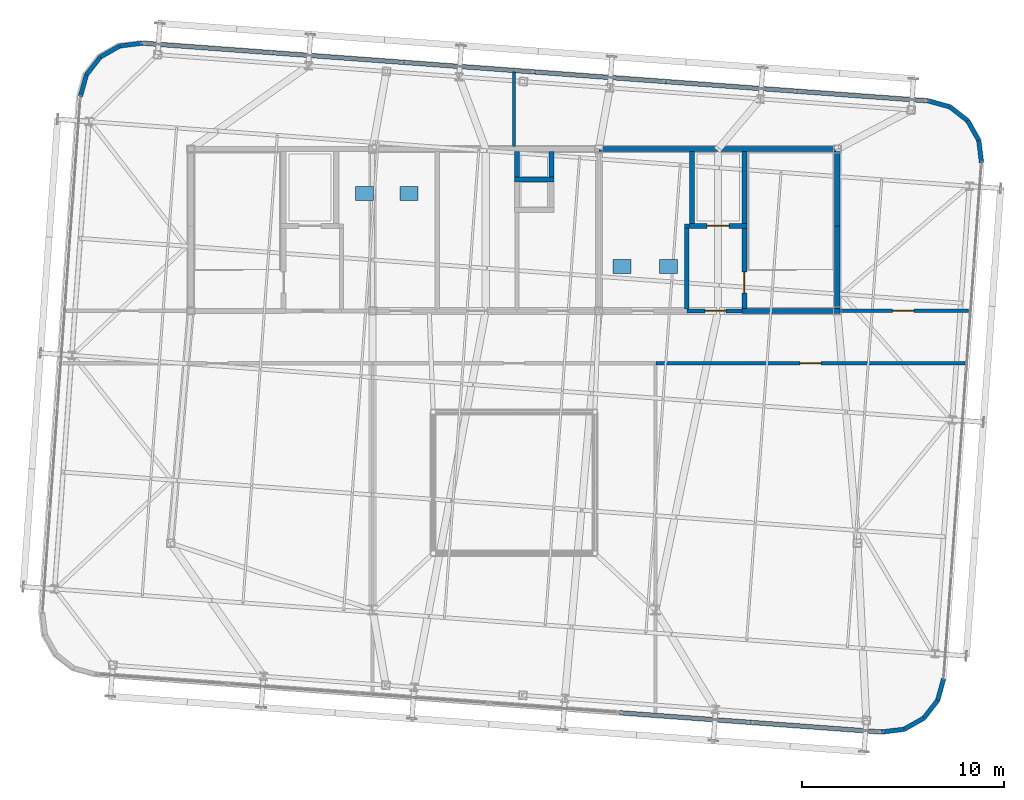
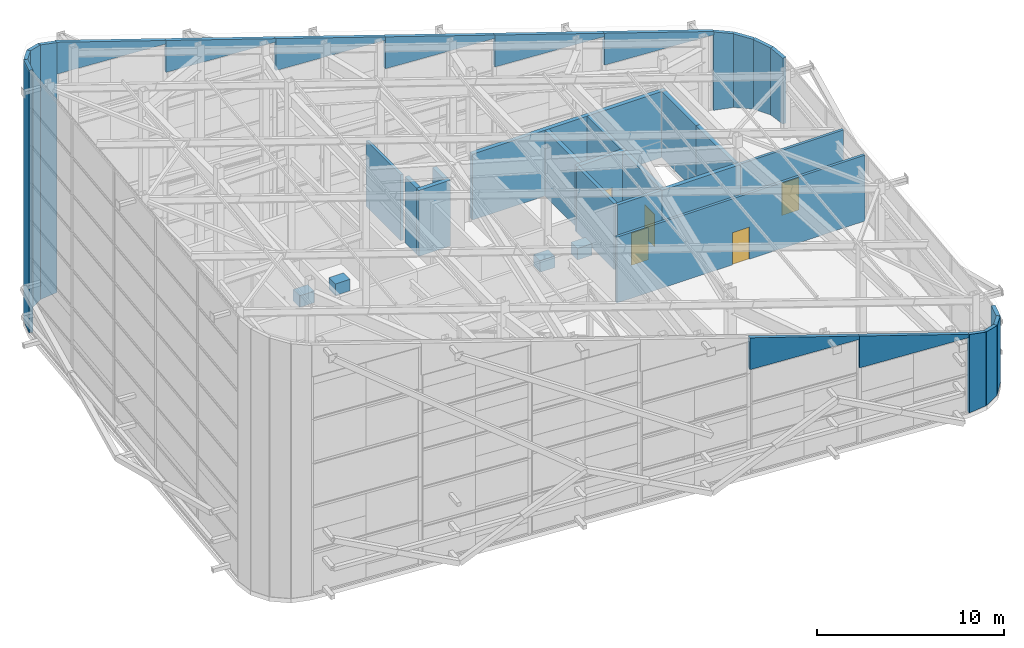
# One storey, part 54 of 56: 37 walls, 5 doors, 4 discrete accessories, 5 openings.
"""IFC4 building model written with IfcOpenShell, lengths in metres."""

from ifc_helpers import new_model, si_unit, direction, frame, frame_2d, origin, origin_2d, place, context, subcontext, project, spatial, polyline, rectangle, outline, extrude, source, transform, mapped, material, layer, layer_set, type_object, element, fill, save


model = new_model("IFC4")

# Units and contexts
model_context = context("Model", 3, precision=1e-05, world=origin(), true_north=direction((0.0, 1.0)))
body_context = subcontext(model_context, "Body", "Model", "MODEL_VIEW")
ifc_project = project(units=[si_unit("LENGTHUNIT", "METRE"), si_unit("AREAUNIT", "SQUARE_METRE"), si_unit("VOLUMEUNIT", "CUBIC_METRE"), si_unit("PLANEANGLEUNIT", "RADIAN"), si_unit("MASSUNIT", "GRAM", prefix="KILO")], contexts=[model_context])

# Site, building, storey
site_placement = place(None, origin())
site = spatial("IfcSite", under=ifc_project, at=site_placement, CompositionType="ELEMENT")
building_placement = place(site_placement, origin())
building = spatial("IfcBuilding", under=site, at=building_placement, Name="Taldren Reach Tower", CompositionType="ELEMENT")
storey_placement = place(building_placement, frame((0.0, 0.0, 253.050048828125)))
storey = spatial("IfcBuildingStorey", under=building, at=storey_placement, Name="L77", CompositionType="ELEMENT", Elevation=253.050048828125)

# Walls
ifc_material_1 = material(Name="Pale Champagne Anodised Aluminium Cladding", Category="aluminium")
ifc_layer_1 = layer(ifc_material_1, 0.04, Name="Pale Champagne Anodised Aluminium Cladding", Category="aluminium")
ifc_material_2 = material(Name="Mineral Wool Acoustic Insulation", Category="insulation")
ifc_layer_2 = layer(ifc_material_2, 0.06, Name="Mineral Wool Acoustic Insulation", Category="insulation")
ifc_material_3 = material(Name="Steel Gr 350 (C350L0)", Category="steel")
ifc_layer_3 = layer(ifc_material_3, 0.12, Name="Steel Gr 350 (C350L0)", Category="steel")
ifc_layer_set_1 = layer_set([ifc_layer_1, ifc_layer_2, ifc_layer_3], Name="Pale Champagne Aluminium Cladding and Steel Gr 350 Stud Framing")
wall_type_1 = type_object("IfcWallType", Name="EW-CRN-220", PredefinedType="SOLIDWALL", material=ifc_layer_set_1)
wall_1_placement = place(storey_placement, frame((53.20068359375, 3.15380859375, 0.0), z_axis=(0.0, 0.0, 1.0), x_axis=(0.992438604032, 0.122742076028, 0.0)))
element("IfcWall", 1, at=wall_1_placement, inside=storey, type_object=wall_type_1, Name="Rounded-corner pale-metal facade wall L77-SE1", PredefinedType="SOLIDWALL", context=body_context, shape_type="SweptSolid", body=[
    extrude(outline(polyline([(0.0, 0.0), (1.115966796875, 0.0), (1.115966796875, 4.80419921875), (0.0, 5.117919921875), (0.0, 0.0)])), frame((0.0, 0.10986328125, 0.0), z_axis=(0.0, -1.0, 0.0), x_axis=(1.0, 0.0, 0.0)), (0.0, 0.0, 1.0), 0.219970703125),
])
wall_2_placement = place(storey_placement, frame((54.30810546875, 3.290771484375, 0.0), z_axis=(0.0, 0.0, 1.0), x_axis=(0.869893934693, 0.49323882895, 0.0)))
element("IfcWall", 2, at=wall_2_placement, inside=storey, type_object=wall_type_1, Name="Rounded-corner pale-metal facade wall L77-SE2", PredefinedType="SOLIDWALL", context=body_context, shape_type="SweptSolid", body=[
    extrude(outline(polyline([(0.0, 0.0), (1.1162109375, 0.0), (1.115966796875, 4.5380859375), (0.0, 4.80419921875), (0.0, 0.0)])), frame((0.0, 0.10986328125, 0.0), z_axis=(0.0, -1.0, 0.0), x_axis=(1.0, 0.0, 0.0)), (0.0, 0.0, 1.0), 0.219970703125),
])
wall_3_placement = place(storey_placement, frame((55.279052734375, 3.84130859375, 0.0), z_axis=(0.0, 0.0, 1.0), x_axis=(0.615015475096, 0.788515038152, 0.0)))
element("IfcWall", 3, at=wall_3_placement, inside=storey, type_object=wall_type_1, Name="Rounded-corner pale-metal facade wall L77-SE3", PredefinedType="SOLIDWALL", context=body_context, shape_type="SweptSolid", body=[
    extrude(outline(polyline([(0.0, 0.0), (1.115966796875, 0.0), (1.115966796875, 4.3603515625), (0.0, 4.5380859375), (0.0, 0.0)])), frame((0.0, 0.10986328125, 0.0), z_axis=(0.0, -1.0, 0.0), x_axis=(1.0, 0.0, 0.0)), (0.0, 0.0, 1.0), 0.219970703125),
])
wall_4_placement = place(storey_placement, frame((55.96533203125, 4.72119140625, 0.0), z_axis=(0.0, 0.0, 1.0), x_axis=(0.26624444942, 0.963905541613, 0.0)))
element("IfcWall", 4, at=wall_4_placement, inside=storey, type_object=wall_type_1, Name="Rounded-corner pale-metal facade wall L77-SE4", PredefinedType="SOLIDWALL", context=body_context, shape_type="SweptSolid", body=[
    extrude(outline(polyline([(0.0, 0.0), (1.115966796875, 0.0), (1.115966796875, 4.298095703125), (0.0, 4.3603515625), (0.0, 0.0)])), frame((0.0, 0.10986328125, 0.0), z_axis=(0.0, -1.0, 0.0), x_axis=(1.0, 0.0, 0.0)), (0.0, 0.0, 1.0), 0.219970703125),
])
wall_5_placement = place(storey_placement, frame((58.137451171875, 31.328125, 0.0), z_axis=(0.0, 0.0, 1.0), x_axis=(-0.122742076028, 0.992438604032, 0.0)))
element("IfcWall", 5, at=wall_5_placement, inside=storey, type_object=wall_type_1, Name="Rounded-corner pale-metal facade wall L77-NE1", PredefinedType="SOLIDWALL", context=body_context, shape_type="SweptSolid", body=[
    extrude(outline(polyline([(0.0, 0.0), (1.115966796875, 0.0), (1.115966796875, 4.3603515625), (0.0, 4.298095703125), (0.0, 0.0)])), frame((0.0, 0.10986328125, 0.0), z_axis=(0.0, -1.0, 0.0), x_axis=(1.0, 0.0, 0.0)), (0.0, 0.0, 1.0), 0.219970703125),
])
wall_6_placement = place(storey_placement, frame((58.00048828125, 32.435546875, 0.0), z_axis=(0.0, 0.0, 1.0), x_axis=(-0.493167138628, 0.869934579941, 0.0)))
element("IfcWall", 6, at=wall_6_placement, inside=storey, type_object=wall_type_1, Name="Rounded-corner pale-metal facade wall L77-NE2", PredefinedType="SOLIDWALL", context=body_context, shape_type="SweptSolid", body=[
    extrude(outline(polyline([(0.0, 0.0), (1.11572265625, 0.0), (1.115966796875, 4.5380859375), (0.0, 4.3603515625), (0.0, 0.0)])), frame((0.0, 0.10986328125, 0.0), z_axis=(0.0, -1.0, 0.0), x_axis=(1.0, 0.0, 0.0)), (0.0, 0.0, 1.0), 0.219970703125),
])
wall_7_placement = place(storey_placement, frame((57.4501953125, 33.40625, 0.0), z_axis=(0.0, 0.0, 1.0), x_axis=(-0.788597772321, 0.614909386406, 0.0)))
element("IfcWall", 7, at=wall_7_placement, inside=storey, type_object=wall_type_1, Name="Rounded-corner pale-metal facade wall L77-NE3", PredefinedType="SOLIDWALL", context=body_context, shape_type="SweptSolid", body=[
    extrude(outline(polyline([(0.0, 0.0), (1.115966796875, 0.0), (1.115966796875, 4.80419921875), (0.0, 4.5380859375), (0.0, 0.0)])), frame((0.0, 0.10986328125, 0.0), z_axis=(0.0, -1.0, 0.0), x_axis=(1.0, 0.0, 0.0)), (0.0, 0.0, 1.0), 0.219970703125),
])
wall_8_placement = place(storey_placement, frame((56.570068359375, 34.092529296875, 0.0), z_axis=(0.0, 0.0, 1.0), x_axis=(-0.963833843713, 0.266503886865, 0.0)))
element("IfcWall", 8, at=wall_8_placement, inside=storey, type_object=wall_type_1, Name="Rounded-corner pale-metal facade wall L77-NE4", PredefinedType="SOLIDWALL", context=body_context, shape_type="SweptSolid", body=[
    extrude(outline(polyline([(0.0, 0.0), (1.11572265625, 0.0), (1.115966796875, 5.117919921875), (0.0, 4.80419921875), (0.0, 0.0)])), frame((0.0, 0.10986328125, 0.0), z_axis=(0.0, -1.0, 0.0), x_axis=(1.0, 0.0, 0.0)), (0.0, 0.0, 1.0), 0.219970703125),
])
wall_9_placement = place(storey_placement, frame((16.599365234375, 37.24609375, 0.0), z_axis=(0.0, 0.0, 1.0), x_axis=(-0.992441899189, -0.122715429897, 0.0)))
element("IfcWall", 9, at=wall_9_placement, inside=storey, type_object=wall_type_1, Name="Rounded-corner pale-metal facade wall L77-NW1", PredefinedType="SOLIDWALL", context=body_context, shape_type="SweptSolid", body=[
    extrude(outline(polyline([(0.0, 0.0), (1.1162109375, 0.0), (1.115966796875, 16.611572265625), (0.0, 16.2978515625), (0.0, 0.0)])), frame((0.0, 0.10986328125, 0.0), z_axis=(0.0, -1.0, 0.0), x_axis=(1.0, 0.0, 0.0)), (0.0, 0.0, 1.0), 0.219970703125),
])
wall_10_placement = place(storey_placement, frame((15.49169921875, 37.109130859375, 0.0), z_axis=(0.0, 0.0, 1.0), x_axis=(-0.869934579941, -0.493167138628, 0.0)))
element("IfcWall", 10, at=wall_10_placement, inside=storey, type_object=wall_type_1, Name="Rounded-corner pale-metal facade wall L77-NW2", PredefinedType="SOLIDWALL", context=body_context, shape_type="SweptSolid", body=[
    extrude(outline(polyline([(0.0, 0.0), (1.11572265625, 0.0), (1.115966796875, 16.877685546875), (0.0, 16.611572265625), (0.0, 0.0)])), frame((0.0, 0.10986328125, 0.0), z_axis=(0.0, -1.0, 0.0), x_axis=(1.0, 0.0, 0.0)), (0.0, 0.0, 1.0), 0.219970703125),
])
wall_11_placement = place(storey_placement, frame((14.52099609375, 36.558837890625, 0.0), z_axis=(0.0, 0.0, 1.0), x_axis=(-0.614909386406, -0.788597772321, 0.0)))
element("IfcWall", 11, at=wall_11_placement, inside=storey, type_object=wall_type_1, Name="Rounded-corner pale-metal facade wall L77-NW3", PredefinedType="SOLIDWALL", context=body_context, shape_type="SweptSolid", body=[
    extrude(outline(polyline([(0.0, 0.0), (1.115966796875, 0.0), (1.115966796875, 17.055419921875), (0.0, 16.877685546875), (0.0, 0.0)])), frame((0.0, 0.10986328125, 0.0), z_axis=(0.0, -1.0, 0.0), x_axis=(1.0, 0.0, 0.0)), (0.0, 0.0, 1.0), 0.219970703125),
])
wall_12_placement = place(storey_placement, frame((13.834716796875, 35.6787109375, 0.0), z_axis=(0.0, 0.0, 1.0), x_axis=(-0.266300605026, -0.963890028874, 0.0)))
element("IfcWall", 12, at=wall_12_placement, inside=storey, type_object=wall_type_1, Name="Rounded-corner pale-metal facade wall L77-NW4", PredefinedType="SOLIDWALL", context=body_context, shape_type="SweptSolid", body=[
    extrude(outline(polyline([(0.0, 0.0), (1.11572265625, 0.0), (1.115966796875, 17.11767578125), (0.0, 17.055419921875), (0.0, 0.0)])), frame((0.0, 0.10986328125, 0.0), z_axis=(0.0, -1.0, 0.0), x_axis=(1.0, 0.0, 0.0)), (0.0, 0.0, 1.0), 0.219970703125),
])
wall_13_placement = place(storey_placement, frame((40.235595703125, 4.10595703125, 6.788330078125), z_axis=(0.0, 0.0, 1.0), x_axis=(0.997314286366, -0.073240796084, 0.0)))
element("IfcWall", 13, at=wall_13_placement, inside=storey, type_object=wall_type_1, Name="Slanted crown eave closure wall L77-S5", PredefinedType="SOLIDWALL", context=body_context, shape_type="SweptSolid", body=[
    extrude(outline(polyline([(0.0, 0.0), (6.500244140625, 0.0), (6.5, 0.219970703125), (0.0, 2.083251953125), (0.0, 0.0)])), frame((0.0, 0.10986328125, 0.0), z_axis=(0.0, -1.0, 0.0), x_axis=(1.0, 0.0, 0.0)), (0.0, 0.0, 1.0), 0.219970703125),
])
wall_14_placement = place(storey_placement, frame((46.71826171875, 3.6298828125, 4.9248046875), z_axis=(0.0, 0.0, 1.0), x_axis=(0.997314084878, -0.073243539677, 0.0)))
element("IfcWall", 14, at=wall_14_placement, inside=storey, type_object=wall_type_1, Name="Slanted crown eave closure wall L77-S6", PredefinedType="SOLIDWALL", context=body_context, shape_type="SweptSolid", body=[
    extrude(outline(polyline([(0.0, 0.0), (6.5, 0.0), (6.5, 0.219970703125), (0.0, 2.08349609375), (0.0, 0.0)])), frame((0.0, 0.10986328125, 0.0), z_axis=(0.0, -1.0, 0.0), x_axis=(1.0, 0.0, 0.0)), (0.0, 0.0, 1.0), 0.219970703125),
])
wall_15_placement = place(storey_placement, frame((16.599365234375, 37.24609375, 14.241455078125), z_axis=(0.0, 0.0, 1.0), x_axis=(0.997314084878, -0.073243539677, 0.0)))
element("IfcWall", 15, at=wall_15_placement, inside=storey, type_object=wall_type_1, Name="Slanted crown eave closure wall L77-N1", PredefinedType="SOLIDWALL", context=body_context, shape_type="SweptSolid", body=[
    extrude(outline(polyline([(0.0, 0.0), (6.5, 0.0), (6.5, 0.22021484375), (0.0, 2.08349609375), (0.0, 0.0)])), frame((0.0, 0.10986328125, 0.0), z_axis=(0.0, -1.0, 0.0), x_axis=(1.0, 0.0, 0.0)), (0.0, 0.0, 1.0), 0.219970703125),
])
wall_16_placement = place(storey_placement, frame((23.081787109375, 36.77001953125, 12.378173828125), z_axis=(0.0, 0.0, 1.0), x_axis=(0.997314286366, -0.073240796084, 0.0)))
element("IfcWall", 16, at=wall_16_placement, inside=storey, type_object=wall_type_1, Name="Slanted crown eave closure wall L77-N2", PredefinedType="SOLIDWALL", context=body_context, shape_type="SweptSolid", body=[
    extrude(outline(polyline([(0.0, 0.0), (6.500244140625, 0.0), (6.5, 0.219970703125), (0.0, 2.08349609375), (0.0, 0.0)])), frame((0.0, 0.10986328125, 0.0), z_axis=(0.0, -1.0, 0.0), x_axis=(1.0, 0.0, 0.0)), (0.0, 0.0, 1.0), 0.219970703125),
])
wall_17_placement = place(storey_placement, frame((29.564453125, 36.2939453125, 10.514892578125), z_axis=(0.0, 0.0, 1.0), x_axis=(0.997314084878, -0.073243539677, 0.0)))
element("IfcWall", 17, at=wall_17_placement, inside=storey, type_object=wall_type_1, Name="Slanted crown eave closure wall L77-N3", PredefinedType="SOLIDWALL", context=body_context, shape_type="SweptSolid", body=[
    extrude(outline(polyline([(0.0, 0.0), (6.5, 0.0), (6.5, 0.219970703125), (0.0, 2.083251953125), (0.0, 0.0)])), frame((0.0, 0.10986328125, 0.0), z_axis=(0.0, -1.0, 0.0), x_axis=(1.0, 0.0, 0.0)), (0.0, 0.0, 1.0), 0.219970703125),
])
wall_18_placement = place(storey_placement, frame((36.046875, 35.81787109375, 8.651611328125), z_axis=(0.0, 0.0, 1.0), x_axis=(0.997314286366, -0.073240796084, 0.0)))
element("IfcWall", 18, at=wall_18_placement, inside=storey, type_object=wall_type_1, Name="Slanted crown eave closure wall L77-N4", PredefinedType="SOLIDWALL", context=body_context, shape_type="SweptSolid", body=[
    extrude(outline(polyline([(0.0, 0.0), (6.500244140625, 0.0), (6.5, 0.219970703125), (0.0, 2.083251953125), (0.0, 0.0)])), frame((0.0, 0.10986328125, 0.0), z_axis=(0.0, -1.0, 0.0), x_axis=(1.0, 0.0, 0.0)), (0.0, 0.0, 1.0), 0.219970703125),
])
wall_19_placement = place(storey_placement, frame((42.529541015625, 35.341796875, 6.788330078125), z_axis=(0.0, 0.0, 1.0), x_axis=(0.997316827882, -0.073206180233, 0.0)))
element("IfcWall", 19, at=wall_19_placement, inside=storey, type_object=wall_type_1, Name="Slanted crown eave closure wall L77-N5", PredefinedType="SOLIDWALL", context=body_context, shape_type="SweptSolid", body=[
    extrude(outline(polyline([(0.0, 0.0), (6.499755859375, 0.0), (6.5, 0.219970703125), (0.0, 2.083251953125), (0.0, 0.0)])), frame((0.0, 0.10986328125, 0.0), z_axis=(0.0, -1.0, 0.0), x_axis=(1.0, 0.0, 0.0)), (0.0, 0.0, 1.0), 0.219970703125),
])
wall_20_placement = place(storey_placement, frame((49.011962890625, 34.865966796875, 4.9248046875), z_axis=(0.0, 0.0, 1.0), x_axis=(0.997314286366, -0.073240796084, 0.0)))
element("IfcWall", 20, at=wall_20_placement, inside=storey, type_object=wall_type_1, Name="Slanted crown eave closure wall L77-N6", PredefinedType="SOLIDWALL", context=body_context, shape_type="SweptSolid", body=[
    extrude(outline(polyline([(0.0, 0.0), (6.500244140625, 0.0), (6.5, 0.219970703125), (0.0, 2.08349609375), (0.0, 0.0)])), frame((0.0, 0.10986328125, 0.0), z_axis=(0.0, -1.0, 0.0), x_axis=(1.0, 0.0, 0.0)), (0.0, 0.0, 1.0), 0.219970703125),
])
ifc_material_4 = material(Name="Concrete S65 (65 MPa)", Category="concrete")
ifc_layer_4 = layer(ifc_material_4, 0.25)
ifc_layer_set_2 = layer_set([ifc_layer_4], Name="Concrete S65 (65 MPa)")
wall_type_2 = type_object("IfcWallType", Name="IW-CORE-250", PredefinedType="SHEAR", material=ifc_layer_set_2)
shared_shape_1 = source(origin(), body_context, "Body", "SweptSolid", [
    extrude(rectangle(XDim=11.925048828125, YDim=0.25, at=frame_2d((5.96240234375, 0.0))), origin(), (0.0, 0.0, 1.0), 4.300048828125),
])
wall_21_placement = place(storey_placement, frame((39.199951171875, 32.0, 0.0), z_axis=(0.0, 0.0, 1.0), x_axis=(1.0, 0.0, 0.0)))
element("IfcWall", 21, at=wall_21_placement, inside=storey, type_object=wall_type_2, Name="Rear Core Shear Wall W-CORE-L77-NORTH3", PredefinedType="SHEAR", context=body_context, shape_type="MappedRepresentation", body=[
    mapped(shared_shape_1, transform((0.0, 0.0, 0.0), scale=1.0)),
])
shared_shape_2 = source(origin(), body_context, "Body", "SweptSolid", [
    extrude(rectangle(XDim=4.074951171875, YDim=0.25, at=frame_2d((2.03759765625, 0.0))), origin(), (0.0, 0.0, 1.0), 4.300048828125),
])
wall_22_placement = place(storey_placement, frame((51.0, 24.125, 0.0), z_axis=(0.0, 0.0, 1.0), x_axis=(0.0, 1.0, 0.0)))
element("IfcWall", 22, at=wall_22_placement, inside=storey, type_object=wall_type_2, Name="Rear Core Shear Wall W-CORE-L77-EAST1", PredefinedType="SHEAR", context=body_context, shape_type="MappedRepresentation", body=[
    mapped(shared_shape_2, transform((0.0, 0.0, 0.0), scale=1.0)),
])
shared_shape_3 = source(origin(), body_context, "Body", "SweptSolid", [
    extrude(rectangle(XDim=3.675048828125, YDim=0.25, at=frame_2d((1.83740234375, 0.0))), origin(), (0.0, 0.0, 1.0), 4.300048828125),
])
wall_23_placement = place(storey_placement, frame((51.0, 28.199951171875, 0.0), z_axis=(0.0, 0.0, 1.0), x_axis=(0.0, 1.0, 0.0)))
element("IfcWall", 23, at=wall_23_placement, inside=storey, type_object=wall_type_2, Name="Rear Core Shear Wall W-CORE-L77-EAST2", PredefinedType="SHEAR", context=body_context, shape_type="MappedRepresentation", body=[
    mapped(shared_shape_3, transform((0.0, 0.0, 0.0), scale=1.0)),
])
shared_shape_4 = source(origin(), body_context, "Body", "SweptSolid", [
    extrude(rectangle(XDim=3.550048828125, YDim=0.25, at=frame_2d((1.77490234375, 0.0))), origin(), (0.0, 0.0, 1.0), 4.300048828125),
])
for number, where, z_axis, x_axis, name in (
    (24, (46.39990234375, 31.875, 0.0), (0.0, 0.0, 1.0), (0.0, -1.0, 0.0), "Rear Core Shear Wall W-INT-L77-008"),
    (25, (43.800048828125, 31.875, 0.0), (0.0, 0.0, 1.0), (0.0, -1.0, 0.0), "Rear Core Shear Wall W-INT-L77-012"),
):
    element("IfcWall", number, at=place(storey_placement, frame(where, z_axis=z_axis, x_axis=x_axis)), inside=storey, type_object=wall_type_2, Name=name, PredefinedType="SHEAR", context=body_context, shape_type="MappedRepresentation", body=[
        mapped(shared_shape_4, transform((0.0, 0.0, 0.0), scale=1.0)),
    ])

# Wall, opening, door
shared_shape_5 = source(origin(), body_context, "Body", "SweptSolid", [
    extrude(rectangle(XDim=3.949951171875, YDim=0.25, at=frame_2d((1.97509765625, 0.0))), origin(), (0.0, 0.0, 1.0), 4.300048828125),
])
wall_24_placement = place(storey_placement, frame((46.39990234375, 28.074951171875, 0.0), z_axis=(0.0, 0.0, 1.0), x_axis=(0.0, -1.0, 0.0)))
wall_24 = element("IfcWall", 26, at=wall_24_placement, inside=storey, type_object=wall_type_2, Name="Rear Core Shear Wall W-INT-L77-009", PredefinedType="SHEAR", context=body_context, shape_type="MappedRepresentation", body=[
    mapped(shared_shape_5, transform((0.0, 0.0, 0.0), scale=1.0)),
])
shared_shape_6 = source(origin(), body_context, "Body", "SweptSolid", [
    extrude(rectangle(XDim=1.050048828125, YDim=2.10009765625, at=frame_2d((0.52490234375, 1.050048828125))), frame((0.0, 0.135009765625, 0.0), z_axis=(0.0, -1.0, 0.0), x_axis=(1.0, 0.0, 0.0)), (0.0, 0.0, 1.0), 0.27001953125),
])
opening_1_placement = place(wall_24_placement, frame((2.14990234375, 0.0, 0.0)))
opening_1 = element("IfcOpeningElement", 27, at=opening_1_placement, cuts=wall_24, Name="Opening DF-105", PredefinedType="OPENING", context=body_context, shape_type="MappedRepresentation", body=[
    mapped(shared_shape_6, transform((0.0, 0.0, 0.0), scale=1.0)),
])
ifc_material_5 = material(Name="Fire-Rated Care and Stair Exit Door")
door_type_1 = type_object("IfcDoorType", Name="ID-FIRE-105", OperationType="NOTDEFINED", PredefinedType="DOOR", material=ifc_material_5)
shared_shape_7 = source(origin(), body_context, "Body", "SweptSolid", [
    extrude(rectangle(XDim=1.050048828125, YDim=2.10009765625, at=frame_2d((0.52490234375, 1.050048828125))), frame((0.0, 0.02490234375, 0.0), z_axis=(0.0, -1.0, 0.0), x_axis=(1.0, 0.0, 0.0)), (0.0, 0.0, 1.0), 0.050048828125),
])
door_1_placement = place(opening_1_placement, origin())
door_1 = element("IfcDoor", 28, at=door_1_placement, inside=storey, type_object=door_type_1, Name="Fire Exit Stair Door DR-L77-003", OperationType="SINGLE_SWING_RIGHT", OverallHeight=2.10009765625, OverallWidth=1.050048828125, PredefinedType="DOOR", context=body_context, shape_type="MappedRepresentation", body=[
    mapped(shared_shape_7, transform((0.0, 0.0, 0.0), scale=1.0)),
])
fill(opening_1, door_1)

# Wall
shared_shape_8 = source(origin(), body_context, "Body", "SweptSolid", [
    extrude(rectangle(XDim=4.85009765625, YDim=0.25, at=frame_2d((2.425048828125, 0.0))), origin(), (0.0, 0.0, 1.0), 4.300048828125),
])
wall_25_placement = place(storey_placement, frame((46.27490234375, 24.0, 0.0), z_axis=(0.0, 0.0, 1.0), x_axis=(1.0, 0.0, 0.0)))
element("IfcWall", 29, at=wall_25_placement, inside=storey, type_object=wall_type_2, Name="Rear Core Shear Wall W-INT-L77-010", PredefinedType="SHEAR", context=body_context, shape_type="MappedRepresentation", body=[
    mapped(shared_shape_8, transform((0.0, 0.0, 0.0), scale=1.0)),
])

# Wall, opening, door
shared_shape_9 = source(origin(), body_context, "Body", "SweptSolid", [
    extrude(rectangle(XDim=2.849853515625, YDim=0.25, at=frame_2d((1.4248046875, 0.0))), origin(), (0.0, 0.0, 1.0), 4.300048828125),
])
wall_26_placement = place(storey_placement, frame((43.675048828125, 28.199951171875, 0.0), z_axis=(0.0, 0.0, 1.0), x_axis=(1.0, 0.0, 0.0)))
wall_26 = element("IfcWall", 30, at=wall_26_placement, inside=storey, type_object=wall_type_2, Name="Rear Core Shear Wall W-INT-L77-011", PredefinedType="SHEAR", context=body_context, shape_type="MappedRepresentation", body=[
    mapped(shared_shape_9, transform((0.0, 0.0, 0.0), scale=1.0)),
])
shared_shape_10 = source(origin(), body_context, "Body", "SweptSolid", [
    extrude(rectangle(XDim=1.10009765625, YDim=2.14990234375, at=frame_2d((0.550048828125, 1.074951171875))), frame((0.0, 0.135009765625, 0.0), z_axis=(0.0, -1.0, 0.0), x_axis=(1.0, 0.0, 0.0)), (0.0, 0.0, 1.0), 0.27001953125),
])
opening_2_placement = place(wall_26_placement, frame((0.875, 0.0, 0.0)))
opening_2 = element("IfcOpeningElement", 31, at=opening_2_placement, cuts=wall_26, Name="Opening LD-FL2", PredefinedType="OPENING", context=body_context, shape_type="MappedRepresentation", body=[
    mapped(shared_shape_10, transform((0.0, 0.0, 0.0), scale=1.0)),
])
ifc_material_6 = material(Name="Stainless Steel Gr 316 Emergency Lift Landing Door", Category="steel")
door_type_2 = type_object("IfcDoorType", Name="LD-EMG-110", OperationType="SLIDING_TO_LEFT", PredefinedType="DOOR", material=ifc_material_6)
shared_shape_11 = source(origin(), body_context, "Body", "SweptSolid", [
    extrude(rectangle(XDim=1.10009765625, YDim=2.14990234375, at=frame_2d((0.550048828125, 1.074951171875))), frame((0.0, 0.02490234375, 0.0), z_axis=(0.0, -1.0, 0.0), x_axis=(1.0, 0.0, 0.0)), (0.0, 0.0, 1.0), 0.050048828125),
])
door_2_placement = place(opening_2_placement, origin())
door_2 = element("IfcDoor", 32, at=door_2_placement, inside=storey, type_object=door_type_2, Name="Lift Landing Door LD-FL2-L77", OperationType="SLIDING_TO_LEFT", OverallHeight=2.14990234375, OverallWidth=1.10009765625, PredefinedType="DOOR", context=body_context, shape_type="MappedRepresentation", body=[
    mapped(shared_shape_11, transform((0.0, 0.0, 0.0), scale=1.0)),
])
fill(opening_2, door_2)

# Wall
ifc_material_7 = material(Name="Concrete S50 (50 MPa)", Category="concrete")
ifc_layer_5 = layer(ifc_material_7, 0.199951171875)
ifc_layer_set_3 = layer_set([ifc_layer_5], Name="Concrete S50 (50 MPa)")
wall_type_3 = type_object("IfcWallType", Name="IW-CORE-200", PredefinedType="SOLIDWALL", material=ifc_layer_set_3)
shared_shape_12 = source(origin(), body_context, "Body", "SweptSolid", [
    extrude(rectangle(XDim=4.0, YDim=0.199951171875, at=frame_2d((2.0, 0.0))), origin(), (0.0, 0.0, 1.0), 4.300048828125),
])
wall_27_placement = place(storey_placement, frame((43.550048828125, 28.10009765625, 0.0), z_axis=(0.0, 0.0, 1.0), x_axis=(0.0, -1.0, 0.0)))
element("IfcWall", 33, at=wall_27_placement, inside=storey, type_object=wall_type_3, Name="Rear Core Shear Wall W-INT-L77-013", PredefinedType="SOLIDWALL", context=body_context, shape_type="MappedRepresentation", body=[
    mapped(shared_shape_12, transform((0.0, 0.0, 0.0), scale=1.0)),
])

# Wall, opening, door
shared_shape_13 = source(origin(), body_context, "Body", "SweptSolid", [
    extrude(rectangle(XDim=2.724853515625, YDim=0.199951171875, at=frame_2d((1.3623046875, 0.0))), origin(), (0.0, 0.0, 1.0), 4.300048828125),
])
wall_28_placement = place(storey_placement, frame((43.550048828125, 24.0, 0.0), z_axis=(0.0, 0.0, 1.0), x_axis=(1.0, 0.0, 0.0)))
wall_28 = element("IfcWall", 34, at=wall_28_placement, inside=storey, type_object=wall_type_3, Name="Rear Core Shear Wall W-INT-L77-014", PredefinedType="SOLIDWALL", context=body_context, shape_type="MappedRepresentation", body=[
    mapped(shared_shape_13, transform((0.0, 0.0, 0.0), scale=1.0)),
])
shared_shape_14 = source(origin(), body_context, "Body", "SweptSolid", [
    extrude(rectangle(XDim=1.050048828125, YDim=2.10009765625, at=frame_2d((0.52490234375, 1.050048828125))), frame((0.0, 0.10986328125, 0.0), z_axis=(0.0, -1.0, 0.0), x_axis=(1.0, 0.0, 0.0)), (0.0, 0.0, 1.0), 0.219970703125),
])
opening_3_placement = place(wall_28_placement, frame((0.89990234375, 0.0, 0.0)))
opening_3 = element("IfcOpeningElement", 35, at=opening_3_placement, cuts=wall_28, Name="Opening DF-105", PredefinedType="OPENING", context=body_context, shape_type="MappedRepresentation", body=[
    mapped(shared_shape_14, transform((0.0, 0.0, 0.0), scale=1.0)),
])
door_3_placement = place(opening_3_placement, origin())
door_3 = element("IfcDoor", 36, at=door_3_placement, inside=storey, type_object=door_type_1, Name="Interior Door DR-L77-004", OperationType="SINGLE_SWING_LEFT", OverallHeight=2.10009765625, OverallWidth=1.050048828125, PredefinedType="DOOR", context=body_context, shape_type="MappedRepresentation", body=[
    mapped(shared_shape_7, transform((0.0, 0.0, 0.0), scale=1.0)),
])
fill(opening_3, door_3)

# Walls
shared_shape_15 = source(origin(), body_context, "Body", "SweptSolid", [
    extrude(rectangle(XDim=1.9501953125, YDim=0.25, at=frame_2d((0.97509765625, 0.0))), origin(), (0.0, 0.0, 1.0), 4.300048828125),
])
wall_29_placement = place(storey_placement, frame((35.02490234375, 30.5, 0.0), z_axis=(0.0, 0.0, 1.0), x_axis=(1.0, 0.0, 0.0)))
element("IfcWall", 37, at=wall_29_placement, inside=storey, type_object=wall_type_2, Name="Rear Core Shear Wall W-INT-L77-015", PredefinedType="SHEAR", context=body_context, shape_type="MappedRepresentation", body=[
    mapped(shared_shape_15, transform((0.0, 0.0, 0.0), scale=1.0)),
])
shared_shape_16 = source(origin(), body_context, "Body", "SweptSolid", [
    extrude(rectangle(XDim=1.25, YDim=0.25, at=frame_2d((0.625, 0.0))), origin(), (0.0, 0.0, 1.0), 4.300048828125),
])
for number, where, z_axis, x_axis, name in (
    (38, (35.14990234375, 31.875, 0.0), (0.0, 0.0, 1.0), (0.0, -1.0, 0.0), "Rear Core Shear Wall W-INT-L77-016"),
    (39, (36.85009765625, 30.625, 0.0), (0.0, 0.0, 1.0), (0.0, 1.0, 0.0), "Rear Core Shear Wall W-INT-L77-017"),
):
    element("IfcWall", number, at=place(storey_placement, frame(where, z_axis=z_axis, x_axis=x_axis)), inside=storey, type_object=wall_type_2, Name=name, PredefinedType="SHEAR", context=body_context, shape_type="MappedRepresentation", body=[
        mapped(shared_shape_16, transform((0.0, 0.0, 0.0), scale=1.0)),
    ])

# Wall, opening, door
ifc_material_8 = material(Name="Fire-Rated Acoustic Plasterboard Stud Wall", Category="gypsum")
ifc_layer_6 = layer(ifc_material_8, 0.159912109375)
ifc_layer_set_4 = layer_set([ifc_layer_6], Name="Fire-Rated Acoustic Plasterboard Stud Wall")
wall_type_4 = type_object("IfcWallType", Name="IW-FIRE-160", PredefinedType="PARTITIONING", material=ifc_layer_set_4)
shared_shape_17 = source(origin(), body_context, "Body", "SweptSolid", [
    extrude(rectangle(XDim=15.3037109375, YDim=0.159912109375, at=frame_2d((7.65185546875, 0.0))), origin(), (0.0, 0.0, 1.0), 4.300048828125),
])
wall_30_placement = place(storey_placement, frame((57.323974609375, 21.39990234375, 0.0), z_axis=(0.0, 0.0, 1.0), x_axis=(-1.0, 0.0, 0.0)))
wall_30 = element("IfcWall", 40, at=wall_30_placement, inside=storey, type_object=wall_type_4, Name="Interior Partition Wall W-INT-L77-030", PredefinedType="PARTITIONING", context=body_context, shape_type="MappedRepresentation", body=[
    mapped(shared_shape_17, transform((0.0, 0.0, 0.0), scale=1.0)),
])
shared_shape_18 = source(origin(), body_context, "Body", "SweptSolid", [
    extrude(rectangle(XDim=1.050048828125, YDim=2.10009765625, at=frame_2d((0.52490234375, 1.050048828125))), frame((0.0, 0.08984375, 0.0), z_axis=(0.0, -1.0, 0.0), x_axis=(1.0, 0.0, 0.0)), (0.0, 0.0, 1.0), 0.179931640625),
])
opening_4_placement = place(wall_30_placement, frame((7.126953125, 0.0, 0.0)))
opening_4 = element("IfcOpeningElement", 41, at=opening_4_placement, cuts=wall_30, Name="Opening DF-105", PredefinedType="OPENING", context=body_context, shape_type="MappedRepresentation", body=[
    mapped(shared_shape_18, transform((0.0, 0.0, 0.0), scale=1.0)),
])
door_4_placement = place(opening_4_placement, origin())
door_4 = element("IfcDoor", 42, at=door_4_placement, inside=storey, type_object=door_type_1, Name="Interior Door DR-L77-011", OperationType="SINGLE_SWING_RIGHT", OverallHeight=2.10009765625, OverallWidth=1.050048828125, PredefinedType="DOOR", context=body_context, shape_type="MappedRepresentation", body=[
    mapped(shared_shape_7, transform((0.0, 0.0, 0.0), scale=1.0)),
])
fill(opening_4, door_4)

shared_shape_19 = source(origin(), body_context, "Body", "SweptSolid", [
    extrude(rectangle(XDim=6.378173828125, YDim=0.159912109375, at=frame_2d((3.18896484375, 0.0))), origin(), (0.0, 0.0, 1.0), 4.300048828125),
])
wall_31_placement = place(storey_placement, frame((51.125, 24.0, 0.0), z_axis=(0.0, 0.0, 1.0), x_axis=(1.0, 0.0, 0.0)))
wall_31 = element("IfcWall", 43, at=wall_31_placement, inside=storey, type_object=wall_type_4, Name="Interior Partition Wall W-INT-L77-032", PredefinedType="PARTITIONING", context=body_context, shape_type="MappedRepresentation", body=[
    mapped(shared_shape_19, transform((0.0, 0.0, 0.0), scale=1.0)),
])
opening_5_placement = place(wall_31_placement, frame((2.61181640625, 0.0, 0.0)))
opening_5 = element("IfcOpeningElement", 44, at=opening_5_placement, cuts=wall_31, Name="Opening DF-105", PredefinedType="OPENING", context=body_context, shape_type="MappedRepresentation", body=[
    mapped(shared_shape_18, transform((0.0, 0.0, 0.0), scale=1.0)),
])
door_5_placement = place(opening_5_placement, origin())
door_5 = element("IfcDoor", 45, at=door_5_placement, inside=storey, type_object=door_type_1, Name="Interior Door DR-L77-013", OperationType="SINGLE_SWING_RIGHT", OverallHeight=2.10009765625, OverallWidth=1.050048828125, PredefinedType="DOOR", context=body_context, shape_type="MappedRepresentation", body=[
    mapped(shared_shape_7, transform((0.0, 0.0, 0.0), scale=1.0)),
])
fill(opening_5, door_5)

# Walls
shared_shape_20 = source(origin(), body_context, "Body", "SweptSolid", [
    extrude(rectangle(XDim=3.685546875, YDim=0.159912109375, at=frame_2d((1.8427734375, 0.0))), origin(), (0.0, 0.0, 1.0), 4.300048828125),
])
wall_32_placement = place(storey_placement, frame((35.0, 35.810546875, 0.0), z_axis=(0.0, 0.0, 1.0), x_axis=(0.0, -1.0, 0.0)))
element("IfcWall", 46, at=wall_32_placement, inside=storey, type_object=wall_type_4, Name="Interior Partition Wall W-INT-L77-035", PredefinedType="PARTITIONING", context=body_context, shape_type="MappedRepresentation", body=[
    mapped(shared_shape_20, transform((0.0, 0.0, 0.0), scale=1.0)),
])
shared_shape_21 = source(origin(), body_context, "Body", "SweptSolid", [
    extrude(rectangle(XDim=0.22509765625, YDim=0.199951171875, at=frame_2d((0.112548828125, 0.0))), origin(), (0.0, 0.0, 1.0), 4.300048828125),
])
wall_33_placement = place(storey_placement, frame((43.449951171875, 28.199951171875, 0.0), z_axis=(0.0, 0.0, 1.0), x_axis=(1.0, 0.0, 0.0)))
element("IfcWall", 47, at=wall_33_placement, inside=storey, type_object=wall_type_3, Name="Rear Core Partition Wall W-INT-L77-037", PredefinedType="SOLIDWALL", context=body_context, shape_type="MappedRepresentation", body=[
    mapped(shared_shape_21, transform((0.0, 0.0, 0.0), scale=1.0)),
])

# Discrete accessories
ifc_material_9 = material(Name="Steel Gr 350 (350PLUS)", Category="steel")
discrete_accessory_type = type_object("IfcDiscreteAccessoryType", Name="ACC-LIFT-MACH", PredefinedType="USERDEFINED", material=ifc_material_9)
shared_shape_22 = source(origin(), body_context, "Body", "SweptSolid", [
    extrude(rectangle(XDim=0.89990234375, YDim=0.699951171875, at=origin_2d()), origin(), (0.0, 0.0, 1.0), 0.75),
])
for number, where, z_axis, x_axis, name in (
    (48, (40.35009765625, 26.199951171875, 0.0), (0.0, 0.0, 1.0), (1.0, 0.0, 0.0), "Gearless traction lift machine PH1"),
    (49, (42.64990234375, 26.199951171875, 0.0), (0.0, 0.0, 1.0), (1.0, 0.0, 0.0), "Gearless traction lift machine PH2"),
    (50, (27.60009765625, 29.800048828125, 0.0), (0.0, 0.0, 1.0), (1.0, 0.0, 0.0), "Gearless traction lift machine FL1"),
    (51, (29.800048828125, 29.800048828125, 0.0), (0.0, 0.0, 1.0), (1.0, 0.0, 0.0), "Gearless traction lift machine FL2"),
):
    element("IfcDiscreteAccessory", number, at=place(storey_placement, frame(where, z_axis=z_axis, x_axis=x_axis)), inside=storey, type_object=discrete_accessory_type, Name=name, ObjectType="LIFT MACHINE", PredefinedType="USERDEFINED", context=body_context, shape_type="MappedRepresentation", body=[
        mapped(shared_shape_22, transform((0.0, 0.0, 0.0), scale=1.0)),
    ])

save(model, "model.ifc")
